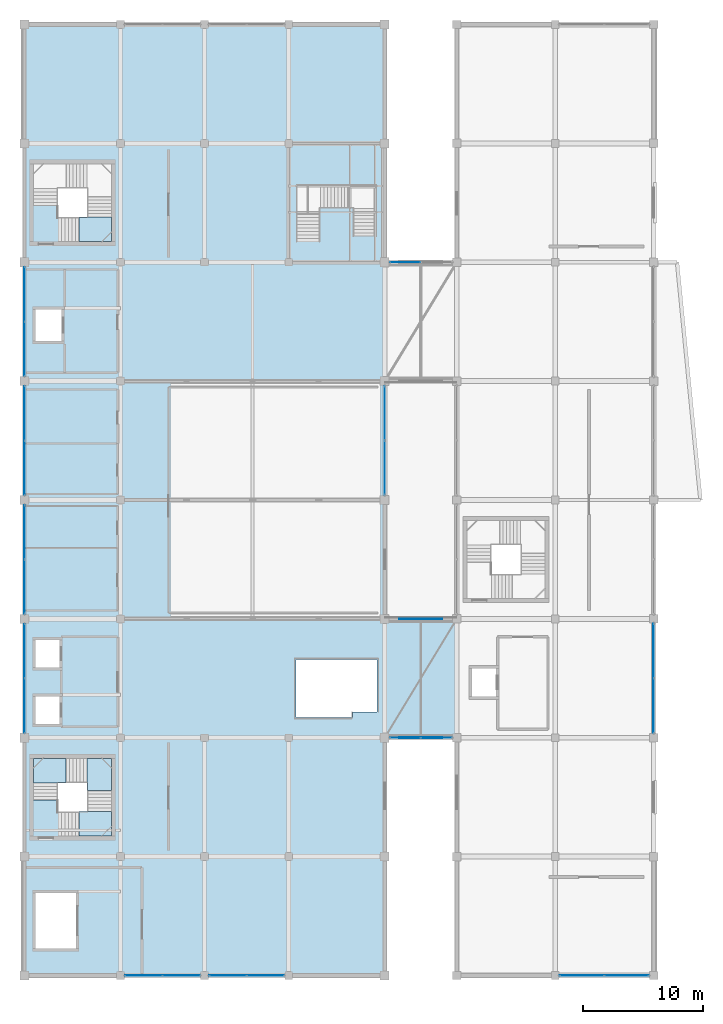
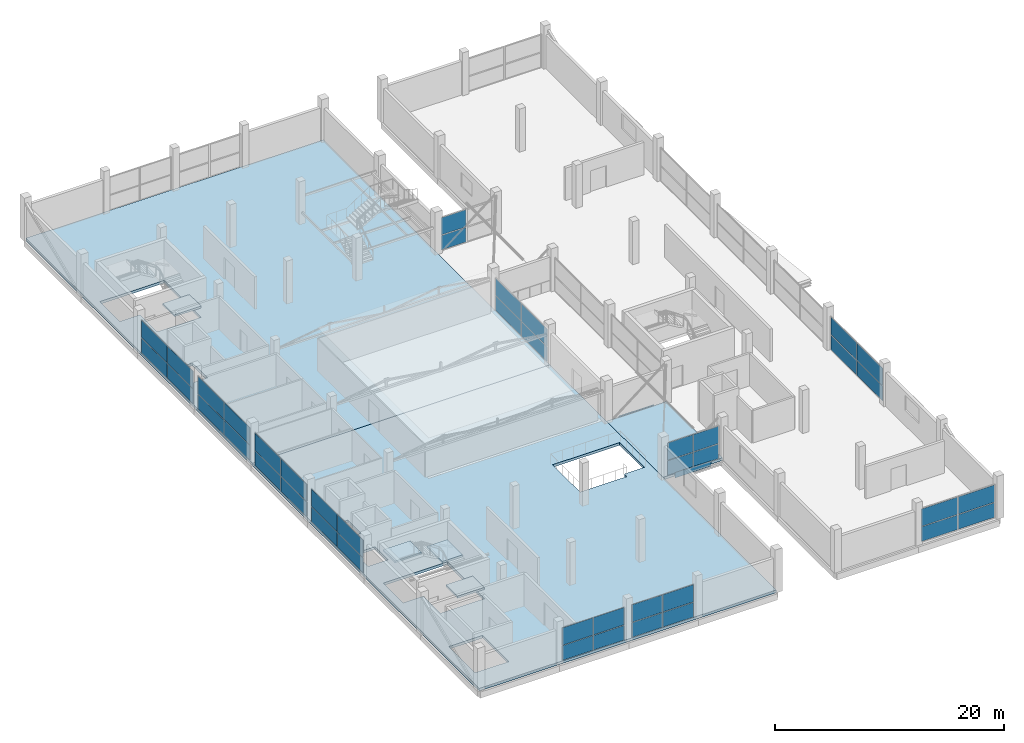
# One storey, part 52 of 69: 44 plates, 7 slabs, 13 elements without a shape of their own.
"""IFC4 building model written with IfcOpenShell, lengths in metres."""

from ifc_helpers import new_model, si_unit, direction, frame, origin, origin_2d, place, context, subcontext, project, spatial, polyline, rectangle, outline, extrude, material, layer, layer_set, type_object, element, aggregate, save


model = new_model("IFC4")

# Units and contexts
model_context = context("Model", 3, precision=1e-05, world=origin(), true_north=direction((0.0, 1.0)))
body_context = subcontext(model_context, "Body", "Model", "MODEL_VIEW")
ifc_project = project(units=[si_unit("LENGTHUNIT", "METRE"), si_unit("AREAUNIT", "SQUARE_METRE"), si_unit("VOLUMEUNIT", "CUBIC_METRE"), si_unit("PLANEANGLEUNIT", "RADIAN"), si_unit("MASSUNIT", "GRAM", prefix="KILO")], contexts=[model_context])

# Site, building, storey
site_placement = place(None, origin())
site = spatial("IfcSite", under=ifc_project, at=site_placement, CompositionType="ELEMENT")
building_placement = place(site_placement, origin())
building = spatial("IfcBuilding", under=site, at=building_placement, Name="Sillaruma Civic Art Gallery", CompositionType="ELEMENT")
storey_placement = place(building_placement, frame((0.0, 0.0, 42.330078125)))
storey = spatial("IfcBuildingStorey", under=building, at=storey_placement, Name="L08", CompositionType="ELEMENT", Elevation=42.330078125)

# Plates
ifc_material_1 = material(Name="Anodised Zinc-Aluminium Alloy", Category="aluminium")
ifc_layer_1 = layer(ifc_material_1, 0.044921875, Name="Anodised Zinc-Aluminium Alloy")
ifc_layer_set_1 = layer_set([ifc_layer_1], Name="Anodised Zinc-Aluminium Alloy")
plate_type_1 = type_object("IfcPlateType", Name="PLT-FAS-01", PredefinedType="USERDEFINED", material=ifc_layer_set_1)
for number, where, z_axis, x_axis, name in (
    (1, (95.0, 39.60009765625, -0.47021484375), (0.0, 0.0, 1.0), (1.0, 0.0, 0.0), "Sky-Bridge Fascia Cassette (BRG-S:L08:S)"),
    (2, (95.0, 49.5, -0.47021484375), (0.0, 0.0, 1.0), (1.0, 0.0, 0.0), "Sky-Bridge Fascia Cassette (BRG-S:L08:N)"),
):
    element("IfcPlate", number, at=place(storey_placement, frame(where, z_axis=z_axis, x_axis=x_axis)), inside=storey, type_object=plate_type_1, Name=name, ObjectType="FASCIA CASSETTE", PredefinedType="USERDEFINED", context=body_context, shape_type="SweptSolid", body=[
        extrude(rectangle(XDim=3.60009765625, YDim=0.044921875, at=origin_2d()), origin(), (0.0, 0.0, 1.0), 0.580078125),
    ])

# Curtain wall, plates
ifc_material_2 = material(Name="Thermally Broken Extruded Aluminium 6063-T6", Category="aluminium")
ifc_layer_2 = layer(ifc_material_2, 0.139892578125, Name="Thermally Broken Extruded Aluminium 6063-T6")
ifc_layer_set_2 = layer_set([ifc_layer_2], Name="Thermally Broken Extruded Aluminium 6063-T6")
curtain_wall_type_1 = type_object("IfcCurtainWallType", Name="CW-UNI-54", PredefinedType="NOTDEFINED", material=ifc_layer_set_2)
curtain_wall_1_placement = place(storey_placement, origin())
curtain_wall_1 = element("IfcCurtainWall", 3, at=curtain_wall_1_placement, inside=storey, type_object=curtain_wall_type_1, Name="Unitised Curtain Wall CW-54 (CW-L08-WBW-3)", PredefinedType="NOTDEFINED")
ifc_material_3 = material(Name="Low-E UV-Filtered Laminated Insulating Glass", Category="glass")
ifc_layer_3 = layer(ifc_material_3, 0.028076171875, Name="Low-E UV-Filtered Laminated Insulating Glass")
ifc_layer_set_3 = layer_set([ifc_layer_3], Name="Low-E UV-Filtered Laminated Insulating Glass")
plate_type_2 = type_object("IfcPlateType", Name="PNL-GLZ-28", PredefinedType="CURTAIN_PANEL", material=ifc_layer_set_3)
plate_1_placement = place(storey_placement, frame((62.0, 42.277587890625, 0.06005859375), z_axis=(0.0, 0.0, 1.0), x_axis=(0.0, 1.0, 0.0)))
plate_1 = element("IfcPlate", 4, at=plate_1_placement, type_object=plate_type_2, Name="CW-54 panel 1.1", PredefinedType="CURTAIN_PANEL", context=body_context, shape_type="SweptSolid", body=[
    extrude(rectangle(XDim=4.485107421875, YDim=0.028076171875, at=origin_2d()), origin(), (0.0, 0.0, 1.0), 1.561279296875),
])
plate_2_placement = place(storey_placement, frame((62.0, 42.277587890625, 1.681396484375), z_axis=(0.0, 0.0, 1.0), x_axis=(0.0, 1.0, 0.0)))
plate_2 = element("IfcPlate", 5, at=plate_2_placement, type_object=plate_type_2, Name="CW-54 panel 1.2", PredefinedType="CURTAIN_PANEL", context=body_context, shape_type="SweptSolid", body=[
    extrude(rectangle(XDim=4.485107421875, YDim=0.028076171875, at=origin_2d()), origin(), (0.0, 0.0, 1.0), 1.8486328125),
])
plate_3_placement = place(storey_placement, frame((62.0, 46.822509765625, 0.06005859375), z_axis=(0.0, 0.0, 1.0), x_axis=(0.0, 1.0, 0.0)))
plate_3 = element("IfcPlate", 6, at=plate_3_placement, type_object=plate_type_2, Name="CW-54 panel 2.1", PredefinedType="CURTAIN_PANEL", context=body_context, shape_type="SweptSolid", body=[
    extrude(rectangle(XDim=4.485107421875, YDim=0.028076171875, at=origin_2d()), origin(), (0.0, 0.0, 1.0), 1.561279296875),
])
plate_4_placement = place(storey_placement, frame((62.0, 46.822509765625, 1.681396484375), z_axis=(0.0, 0.0, 1.0), x_axis=(0.0, 1.0, 0.0)))
plate_4 = element("IfcPlate", 7, at=plate_4_placement, type_object=plate_type_2, Name="CW-54 panel 2.2", PredefinedType="CURTAIN_PANEL", context=body_context, shape_type="SweptSolid", body=[
    extrude(rectangle(XDim=4.485107421875, YDim=0.028076171875, at=origin_2d()), origin(), (0.0, 0.0, 1.0), 1.8486328125),
])
aggregate(curtain_wall_1, [plate_1, plate_2, plate_3, plate_4])

ifc_layer_4 = layer(ifc_material_2, 0.139892578125, Name="Thermally Broken Extruded Aluminium 6063-T6")
ifc_layer_set_4 = layer_set([ifc_layer_4], Name="Thermally Broken Extruded Aluminium 6063-T6")
curtain_wall_type_2 = type_object("IfcCurtainWallType", Name="CW-UNI-56", PredefinedType="NOTDEFINED", material=ifc_layer_set_4)
curtain_wall_2_placement = place(storey_placement, origin())
curtain_wall_2 = element("IfcCurtainWall", 8, at=curtain_wall_2_placement, inside=storey, type_object=curtain_wall_type_2, Name="Unitised Curtain Wall CW-56 (CW-L08-WBS-2)", PredefinedType="NOTDEFINED")
plate_5_placement = place(storey_placement, frame((71.927490234375, 19.800048828125, 0.06005859375), z_axis=(0.0, 0.0, 1.0), x_axis=(1.0, 0.0, 0.0)))
plate_5 = element("IfcPlate", 9, at=plate_5_placement, type_object=plate_type_2, Name="CW-56 panel 1.1", PredefinedType="CURTAIN_PANEL", context=body_context, shape_type="SweptSolid", body=[
    extrude(rectangle(XDim=3.0849609375, YDim=0.028076171875, at=origin_2d()), origin(), (0.0, 0.0, 1.0), 1.561279296875),
])
plate_6_placement = place(storey_placement, frame((71.927490234375, 19.800048828125, 1.681396484375), z_axis=(0.0, 0.0, 1.0), x_axis=(1.0, 0.0, 0.0)))
plate_6 = element("IfcPlate", 10, at=plate_6_placement, type_object=plate_type_2, Name="CW-56 panel 1.2", PredefinedType="CURTAIN_PANEL", context=body_context, shape_type="SweptSolid", body=[
    extrude(rectangle(XDim=3.0849609375, YDim=0.028076171875, at=origin_2d()), origin(), (0.0, 0.0, 1.0), 1.8486328125),
])
plate_7_placement = place(storey_placement, frame((75.072509765625, 19.800048828125, 0.06005859375), z_axis=(0.0, 0.0, 1.0), x_axis=(1.0, 0.0, 0.0)))
plate_7 = element("IfcPlate", 11, at=plate_7_placement, type_object=plate_type_2, Name="CW-56 panel 2.1", PredefinedType="CURTAIN_PANEL", context=body_context, shape_type="SweptSolid", body=[
    extrude(rectangle(XDim=3.0849609375, YDim=0.028076171875, at=origin_2d()), origin(), (0.0, 0.0, 1.0), 1.561279296875),
])
plate_8_placement = place(storey_placement, frame((75.072509765625, 19.800048828125, 1.681396484375), z_axis=(0.0, 0.0, 1.0), x_axis=(1.0, 0.0, 0.0)))
plate_8 = element("IfcPlate", 12, at=plate_8_placement, type_object=plate_type_2, Name="CW-56 panel 2.2", PredefinedType="CURTAIN_PANEL", context=body_context, shape_type="SweptSolid", body=[
    extrude(rectangle(XDim=3.0849609375, YDim=0.028076171875, at=origin_2d()), origin(), (0.0, 0.0, 1.0), 1.8486328125),
])
aggregate(curtain_wall_2, [plate_5, plate_6, plate_7, plate_8])

ifc_layer_5 = layer(ifc_material_2, 0.159912109375, Name="Thermally Broken Extruded Aluminium 6063-T6")
ifc_layer_set_5 = layer_set([ifc_layer_5], Name="Thermally Broken Extruded Aluminium 6063-T6")
curtain_wall_type_3 = type_object("IfcCurtainWallType", Name="CW-UNI-29", PredefinedType="NOTDEFINED", material=ifc_layer_set_5)
curtain_wall_3_placement = place(storey_placement, origin())
curtain_wall_3 = element("IfcCurtainWall", 13, at=curtain_wall_3_placement, inside=storey, type_object=curtain_wall_type_3, Name="Unitised Curtain Wall CW-29 (CW-L08-WBW-5)", PredefinedType="NOTDEFINED")
ifc_layer_6 = layer(ifc_material_3, 0.030029296875, Name="Low-E UV-Filtered Laminated Insulating Glass")
ifc_layer_set_6 = layer_set([ifc_layer_6], Name="Low-E UV-Filtered Laminated Insulating Glass")
plate_type_3 = type_object("IfcPlateType", Name="PNL-GLZ-30", PredefinedType="CURTAIN_PANEL", material=ifc_layer_set_6)
plate_9_placement = place(storey_placement, frame((62.0, 62.078857421875, 0.06005859375), z_axis=(0.0, 0.0, 1.0), x_axis=(0.0, 1.0, 0.0)))
plate_9 = element("IfcPlate", 14, at=plate_9_placement, type_object=plate_type_3, Name="CW-29 panel 1.1", PredefinedType="CURTAIN_PANEL", context=body_context, shape_type="SweptSolid", body=[
    extrude(rectangle(XDim=4.4775390625, YDim=0.030029296875, at=origin_2d()), origin(), (0.0, 0.0, 1.0), 1.561279296875),
])
plate_10_placement = place(storey_placement, frame((62.0, 62.078857421875, 1.681396484375), z_axis=(0.0, 0.0, 1.0), x_axis=(0.0, 1.0, 0.0)))
plate_10 = element("IfcPlate", 15, at=plate_10_placement, type_object=plate_type_3, Name="CW-29 panel 1.2", PredefinedType="CURTAIN_PANEL", context=body_context, shape_type="SweptSolid", body=[
    extrude(rectangle(XDim=4.4775390625, YDim=0.030029296875, at=origin_2d()), origin(), (0.0, 0.0, 1.0), 1.8486328125),
])
plate_11_placement = place(storey_placement, frame((62.0, 66.621337890625, 0.06005859375), z_axis=(0.0, 0.0, 1.0), x_axis=(0.0, 1.0, 0.0)))
plate_11 = element("IfcPlate", 16, at=plate_11_placement, type_object=plate_type_3, Name="CW-29 panel 2.1", PredefinedType="CURTAIN_PANEL", context=body_context, shape_type="SweptSolid", body=[
    extrude(rectangle(XDim=4.4775390625, YDim=0.030029296875, at=origin_2d()), origin(), (0.0, 0.0, 1.0), 1.561279296875),
])
plate_12_placement = place(storey_placement, frame((62.0, 66.621337890625, 1.681396484375), z_axis=(0.0, 0.0, 1.0), x_axis=(0.0, 1.0, 0.0)))
plate_12 = element("IfcPlate", 17, at=plate_12_placement, type_object=plate_type_3, Name="CW-29 panel 2.2", PredefinedType="CURTAIN_PANEL", context=body_context, shape_type="SweptSolid", body=[
    extrude(rectangle(XDim=4.4775390625, YDim=0.030029296875, at=origin_2d()), origin(), (0.0, 0.0, 1.0), 1.8486328125),
])
aggregate(curtain_wall_3, [plate_9, plate_10, plate_11, plate_12])

ifc_layer_7 = layer(ifc_material_2, 0.139892578125, Name="Thermally Broken Extruded Aluminium 6063-T6")
ifc_layer_set_7 = layer_set([ifc_layer_7], Name="Thermally Broken Extruded Aluminium 6063-T6")
curtain_wall_type_4 = type_object("IfcCurtainWallType", Name="CW-UNI-40", PredefinedType="NOTDEFINED", material=ifc_layer_set_7)
curtain_wall_4_placement = place(storey_placement, origin())
curtain_wall_4 = element("IfcCurtainWall", 18, at=curtain_wall_4_placement, inside=storey, type_object=curtain_wall_type_4, Name="Unitised Curtain Wall CW-40 (CW-L08-WBW-6)", PredefinedType="NOTDEFINED")
ifc_layer_8 = layer(ifc_material_3, 0.033935546875, Name="Low-E UV-Filtered Laminated Insulating Glass")
ifc_layer_set_8 = layer_set([ifc_layer_8], Name="Low-E UV-Filtered Laminated Insulating Glass")
plate_type_4 = type_object("IfcPlateType", Name="PNL-GLZ-34", PredefinedType="CURTAIN_PANEL", material=ifc_layer_set_8)
plate_13_placement = place(storey_placement, frame((62.0, 71.9775390625, 0.06494140625), z_axis=(0.0, 0.0, 1.0), x_axis=(0.0, 1.0, 0.0)))
plate_13 = element("IfcPlate", 19, at=plate_13_placement, type_object=plate_type_4, Name="CW-40 panel 1.1", PredefinedType="CURTAIN_PANEL", context=body_context, shape_type="SweptSolid", body=[
    extrude(rectangle(XDim=4.485107421875, YDim=0.033935546875, at=origin_2d()), origin(), (0.0, 0.0, 1.0), 1.553955078125),
])
plate_14_placement = place(storey_placement, frame((62.0, 71.9775390625, 1.68408203125), z_axis=(0.0, 0.0, 1.0), x_axis=(0.0, 1.0, 0.0)))
plate_14 = element("IfcPlate", 20, at=plate_14_placement, type_object=plate_type_4, Name="CW-40 panel 1.2", PredefinedType="CURTAIN_PANEL", context=body_context, shape_type="SweptSolid", body=[
    extrude(rectangle(XDim=4.485107421875, YDim=0.033935546875, at=origin_2d()), origin(), (0.0, 0.0, 1.0), 1.841064453125),
])
plate_15_placement = place(storey_placement, frame((62.0, 76.5224609375, 0.06494140625), z_axis=(0.0, 0.0, 1.0), x_axis=(0.0, 1.0, 0.0)))
plate_15 = element("IfcPlate", 21, at=plate_15_placement, type_object=plate_type_4, Name="CW-40 panel 2.1", PredefinedType="CURTAIN_PANEL", context=body_context, shape_type="SweptSolid", body=[
    extrude(rectangle(XDim=4.485107421875, YDim=0.033935546875, at=origin_2d()), origin(), (0.0, 0.0, 1.0), 1.553955078125),
])
plate_16_placement = place(storey_placement, frame((62.0, 76.5224609375, 1.68408203125), z_axis=(0.0, 0.0, 1.0), x_axis=(0.0, 1.0, 0.0)))
plate_16 = element("IfcPlate", 22, at=plate_16_placement, type_object=plate_type_4, Name="CW-40 panel 2.2", PredefinedType="CURTAIN_PANEL", context=body_context, shape_type="SweptSolid", body=[
    extrude(rectangle(XDim=4.485107421875, YDim=0.033935546875, at=origin_2d()), origin(), (0.0, 0.0, 1.0), 1.841064453125),
])
aggregate(curtain_wall_4, [plate_13, plate_14, plate_15, plate_16])

ifc_layer_9 = layer(ifc_material_2, 0.179931640625, Name="Thermally Broken Extruded Aluminium 6063-T6")
ifc_layer_set_9 = layer_set([ifc_layer_9], Name="Thermally Broken Extruded Aluminium 6063-T6")
curtain_wall_type_5 = type_object("IfcCurtainWallType", Name="CW-UNI-33", PredefinedType="NOTDEFINED", material=ifc_layer_set_9)
curtain_wall_5_placement = place(storey_placement, origin())
curtain_wall_5 = element("IfcCurtainWall", 23, at=curtain_wall_5_placement, inside=storey, type_object=curtain_wall_type_5, Name="Unitised Curtain Wall CW-33 (CW-L08-WBE-5)", PredefinedType="NOTDEFINED")
ifc_layer_10 = layer(ifc_material_3, 0.035888671875, Name="Low-E UV-Filtered Laminated Insulating Glass")
ifc_layer_set_10 = layer_set([ifc_layer_10], Name="Low-E UV-Filtered Laminated Insulating Glass")
plate_type_5 = type_object("IfcPlateType", Name="PNL-GLZ-36", PredefinedType="CURTAIN_PANEL", material=ifc_layer_set_10)
plate_17_placement = place(storey_placement, frame((92.0, 62.080078125, 0.06982421875), z_axis=(0.0, 0.0, 1.0), x_axis=(0.0, 1.0, 0.0)))
plate_17 = element("IfcPlate", 24, at=plate_17_placement, type_object=plate_type_5, Name="CW-33 panel 1.1", PredefinedType="CURTAIN_PANEL", context=body_context, shape_type="SweptSolid", body=[
    extrude(rectangle(XDim=4.469970703125, YDim=0.035888671875, at=origin_2d()), origin(), (0.0, 0.0, 1.0), 1.54638671875),
])
plate_18_placement = place(storey_placement, frame((92.0, 62.080078125, 1.686279296875), z_axis=(0.0, 0.0, 1.0), x_axis=(0.0, 1.0, 0.0)))
plate_18 = element("IfcPlate", 25, at=plate_18_placement, type_object=plate_type_5, Name="CW-33 panel 1.2", PredefinedType="CURTAIN_PANEL", context=body_context, shape_type="SweptSolid", body=[
    extrude(rectangle(XDim=4.469970703125, YDim=0.035888671875, at=origin_2d()), origin(), (0.0, 0.0, 1.0), 1.83349609375),
])
plate_19_placement = place(storey_placement, frame((92.0, 66.6201171875, 0.06982421875), z_axis=(0.0, 0.0, 1.0), x_axis=(0.0, 1.0, 0.0)))
plate_19 = element("IfcPlate", 26, at=plate_19_placement, type_object=plate_type_5, Name="CW-33 panel 2.1", PredefinedType="CURTAIN_PANEL", context=body_context, shape_type="SweptSolid", body=[
    extrude(rectangle(XDim=4.469970703125, YDim=0.035888671875, at=origin_2d()), origin(), (0.0, 0.0, 1.0), 1.54638671875),
])
plate_20_placement = place(storey_placement, frame((92.0, 66.6201171875, 1.686279296875), z_axis=(0.0, 0.0, 1.0), x_axis=(0.0, 1.0, 0.0)))
plate_20 = element("IfcPlate", 27, at=plate_20_placement, type_object=plate_type_5, Name="CW-33 panel 2.2", PredefinedType="CURTAIN_PANEL", context=body_context, shape_type="SweptSolid", body=[
    extrude(rectangle(XDim=4.469970703125, YDim=0.035888671875, at=origin_2d()), origin(), (0.0, 0.0, 1.0), 1.83349609375),
])
aggregate(curtain_wall_5, [plate_17, plate_18, plate_19, plate_20])

ifc_layer_11 = layer(ifc_material_2, 0.179931640625, Name="Thermally Broken Extruded Aluminium 6063-T6")
ifc_layer_set_11 = layer_set([ifc_layer_11], Name="Thermally Broken Extruded Aluminium 6063-T6")
curtain_wall_type_6 = type_object("IfcCurtainWallType", Name="CW-UNI-58", PredefinedType="NOTDEFINED", material=ifc_layer_set_11)
curtain_wall_6_placement = place(storey_placement, origin())
curtain_wall_6 = element("IfcCurtainWall", 28, at=curtain_wall_6_placement, inside=storey, type_object=curtain_wall_type_6, Name="Unitised Curtain Wall CW-58 (CW-L08-EBE-3)", PredefinedType="NOTDEFINED")
plate_21_placement = place(storey_placement, frame((114.39990234375, 42.267578125, 0.06982421875), z_axis=(0.0, 0.0, 1.0), x_axis=(0.0, 1.0, 0.0)))
plate_21 = element("IfcPlate", 29, at=plate_21_placement, type_object=plate_type_5, Name="CW-58 panel 1.1", PredefinedType="CURTAIN_PANEL", context=body_context, shape_type="SweptSolid", body=[
    extrude(rectangle(XDim=4.4951171875, YDim=0.035888671875, at=origin_2d()), origin(), (0.0, 0.0, 1.0), 1.54638671875),
])
plate_22_placement = place(storey_placement, frame((114.39990234375, 42.267578125, 1.686279296875), z_axis=(0.0, 0.0, 1.0), x_axis=(0.0, 1.0, 0.0)))
plate_22 = element("IfcPlate", 30, at=plate_22_placement, type_object=plate_type_5, Name="CW-58 panel 1.2", PredefinedType="CURTAIN_PANEL", context=body_context, shape_type="SweptSolid", body=[
    extrude(rectangle(XDim=4.4951171875, YDim=0.035888671875, at=origin_2d()), origin(), (0.0, 0.0, 1.0), 1.83349609375),
])
plate_23_placement = place(storey_placement, frame((114.39990234375, 46.83251953125, 0.06982421875), z_axis=(0.0, 0.0, 1.0), x_axis=(0.0, 1.0, 0.0)))
plate_23 = element("IfcPlate", 31, at=plate_23_placement, type_object=plate_type_5, Name="CW-58 panel 2.1", PredefinedType="CURTAIN_PANEL", context=body_context, shape_type="SweptSolid", body=[
    extrude(rectangle(XDim=4.4951171875, YDim=0.035888671875, at=origin_2d()), origin(), (0.0, 0.0, 1.0), 1.54638671875),
])
plate_24_placement = place(storey_placement, frame((114.39990234375, 46.83251953125, 1.686279296875), z_axis=(0.0, 0.0, 1.0), x_axis=(0.0, 1.0, 0.0)))
plate_24 = element("IfcPlate", 32, at=plate_24_placement, type_object=plate_type_5, Name="CW-58 panel 2.2", PredefinedType="CURTAIN_PANEL", context=body_context, shape_type="SweptSolid", body=[
    extrude(rectangle(XDim=4.4951171875, YDim=0.035888671875, at=origin_2d()), origin(), (0.0, 0.0, 1.0), 1.83349609375),
])
aggregate(curtain_wall_6, [plate_21, plate_22, plate_23, plate_24])

# Curtain wall, plate
ifc_layer_12 = layer(ifc_material_2, 0.179931640625, Name="Thermally Broken Extruded Aluminium 6063-T6")
ifc_layer_set_12 = layer_set([ifc_layer_12], Name="Thermally Broken Extruded Aluminium 6063-T6")
curtain_wall_type_7 = type_object("IfcCurtainWallType", Name="CW-UNI-60", PredefinedType="NOTDEFINED", material=ifc_layer_set_12)
curtain_wall_7_placement = place(storey_placement, origin())
curtain_wall_7 = element("IfcCurtainWall", 33, at=curtain_wall_7_placement, inside=storey, type_object=curtain_wall_type_7, Name="Unitised Curtain Wall CW-60 (CW-BRG-S-L08-S)", PredefinedType="NOTDEFINED")
plate_25_placement = place(storey_placement, frame((96.313720703125, 39.60009765625, 0.06982421875), z_axis=(0.0, 0.0, 1.0), x_axis=(1.0, 0.0, 0.0)))
plate_25 = element("IfcPlate", 34, at=plate_25_placement, type_object=plate_type_5, Name="CW-60 panel 2.1", PredefinedType="CURTAIN_PANEL", context=body_context, shape_type="SweptSolid", body=[
    extrude(rectangle(XDim=2.532470703125, YDim=0.035888671875, at=origin_2d()), origin(), (0.0, 0.0, 1.0), 1.54638671875),
])

# Curtain wall, plates
ifc_layer_13 = layer(ifc_material_2, 0.179931640625, Name="Thermally Broken Extruded Aluminium 6063-T6")
ifc_layer_set_13 = layer_set([ifc_layer_13], Name="Thermally Broken Extruded Aluminium 6063-T6")
curtain_wall_type_8 = type_object("IfcCurtainWallType", Name="CW-UNI-55", PredefinedType="NOTDEFINED", material=ifc_layer_set_13)
curtain_wall_8_placement = place(storey_placement, origin())
curtain_wall_8 = element("IfcCurtainWall", 35, at=curtain_wall_8_placement, inside=storey, type_object=curtain_wall_type_8, Name="Unitised Curtain Wall CW-55 (CW-L08-WBW-4)", PredefinedType="NOTDEFINED")
ifc_layer_14 = layer(ifc_material_3, 0.0400390625, Name="Low-E UV-Filtered Laminated Insulating Glass")
ifc_layer_set_14 = layer_set([ifc_layer_14], Name="Low-E UV-Filtered Laminated Insulating Glass")
plate_type_6 = type_object("IfcPlateType", Name="PNL-GLZ-40", PredefinedType="CURTAIN_PANEL", material=ifc_layer_set_14)
plate_26_placement = place(storey_placement, frame((62.0, 52.179931640625, 0.06494140625), z_axis=(0.0, 0.0, 1.0), x_axis=(0.0, 1.0, 0.0)))
plate_26 = element("IfcPlate", 36, at=plate_26_placement, type_object=plate_type_6, Name="CW-55 panel 1.1", PredefinedType="CURTAIN_PANEL", context=body_context, shape_type="SweptSolid", body=[
    extrude(rectangle(XDim=4.469970703125, YDim=0.0400390625, at=origin_2d()), origin(), (0.0, 0.0, 1.0), 1.553955078125),
])
plate_27_placement = place(storey_placement, frame((62.0, 52.179931640625, 1.68408203125), z_axis=(0.0, 0.0, 1.0), x_axis=(0.0, 1.0, 0.0)))
plate_27 = element("IfcPlate", 37, at=plate_27_placement, type_object=plate_type_6, Name="CW-55 panel 1.2", PredefinedType="CURTAIN_PANEL", context=body_context, shape_type="SweptSolid", body=[
    extrude(rectangle(XDim=4.469970703125, YDim=0.0400390625, at=origin_2d()), origin(), (0.0, 0.0, 1.0), 1.841064453125),
])
plate_28_placement = place(storey_placement, frame((62.0, 56.719970703125, 0.06494140625), z_axis=(0.0, 0.0, 1.0), x_axis=(0.0, 1.0, 0.0)))
plate_28 = element("IfcPlate", 38, at=plate_28_placement, type_object=plate_type_6, Name="CW-55 panel 2.1", PredefinedType="CURTAIN_PANEL", context=body_context, shape_type="SweptSolid", body=[
    extrude(rectangle(XDim=4.469970703125, YDim=0.0400390625, at=origin_2d()), origin(), (0.0, 0.0, 1.0), 1.553955078125),
])
plate_29_placement = place(storey_placement, frame((62.0, 56.719970703125, 1.68408203125), z_axis=(0.0, 0.0, 1.0), x_axis=(0.0, 1.0, 0.0)))
plate_29 = element("IfcPlate", 39, at=plate_29_placement, type_object=plate_type_6, Name="CW-55 panel 2.2", PredefinedType="CURTAIN_PANEL", context=body_context, shape_type="SweptSolid", body=[
    extrude(rectangle(XDim=4.469970703125, YDim=0.0400390625, at=origin_2d()), origin(), (0.0, 0.0, 1.0), 1.841064453125),
])
aggregate(curtain_wall_8, [plate_26, plate_27, plate_28, plate_29])

ifc_layer_15 = layer(ifc_material_2, 0.179931640625, Name="Thermally Broken Extruded Aluminium 6063-T6")
ifc_layer_set_15 = layer_set([ifc_layer_15], Name="Thermally Broken Extruded Aluminium 6063-T6")
curtain_wall_type_9 = type_object("IfcCurtainWallType", Name="CW-UNI-57", PredefinedType="NOTDEFINED", material=ifc_layer_set_15)
curtain_wall_9_placement = place(storey_placement, origin())
curtain_wall_9 = element("IfcCurtainWall", 40, at=curtain_wall_9_placement, inside=storey, type_object=curtain_wall_type_9, Name="Unitised Curtain Wall CW-57 (CW-L08-WBS-3)", PredefinedType="NOTDEFINED")
plate_30_placement = place(storey_placement, frame((78.929931640625, 19.800048828125, 0.06494140625), z_axis=(0.0, 0.0, 1.0), x_axis=(1.0, 0.0, 0.0)))
plate_30 = element("IfcPlate", 41, at=plate_30_placement, type_object=plate_type_6, Name="CW-57 panel 1.1", PredefinedType="CURTAIN_PANEL", context=body_context, shape_type="SweptSolid", body=[
    extrude(rectangle(XDim=3.070068359375, YDim=0.0400390625, at=origin_2d()), origin(), (0.0, 0.0, 1.0), 1.553955078125),
])
plate_31_placement = place(storey_placement, frame((78.929931640625, 19.800048828125, 1.68408203125), z_axis=(0.0, 0.0, 1.0), x_axis=(1.0, 0.0, 0.0)))
plate_31 = element("IfcPlate", 42, at=plate_31_placement, type_object=plate_type_6, Name="CW-57 panel 1.2", PredefinedType="CURTAIN_PANEL", context=body_context, shape_type="SweptSolid", body=[
    extrude(rectangle(XDim=3.070068359375, YDim=0.0400390625, at=origin_2d()), origin(), (0.0, 0.0, 1.0), 1.841064453125),
])
plate_32_placement = place(storey_placement, frame((82.070068359375, 19.800048828125, 0.06494140625), z_axis=(0.0, 0.0, 1.0), x_axis=(1.0, 0.0, 0.0)))
plate_32 = element("IfcPlate", 43, at=plate_32_placement, type_object=plate_type_6, Name="CW-57 panel 2.1", PredefinedType="CURTAIN_PANEL", context=body_context, shape_type="SweptSolid", body=[
    extrude(rectangle(XDim=3.070068359375, YDim=0.0400390625, at=origin_2d()), origin(), (0.0, 0.0, 1.0), 1.553955078125),
])
plate_33_placement = place(storey_placement, frame((82.070068359375, 19.800048828125, 1.68408203125), z_axis=(0.0, 0.0, 1.0), x_axis=(1.0, 0.0, 0.0)))
plate_33 = element("IfcPlate", 44, at=plate_33_placement, type_object=plate_type_6, Name="CW-57 panel 2.2", PredefinedType="CURTAIN_PANEL", context=body_context, shape_type="SweptSolid", body=[
    extrude(rectangle(XDim=3.070068359375, YDim=0.0400390625, at=origin_2d()), origin(), (0.0, 0.0, 1.0), 1.841064453125),
])
aggregate(curtain_wall_9, [plate_30, plate_31, plate_32, plate_33])

ifc_layer_16 = layer(ifc_material_2, 0.179931640625, Name="Thermally Broken Extruded Aluminium 6063-T6")
ifc_layer_set_16 = layer_set([ifc_layer_16], Name="Thermally Broken Extruded Aluminium 6063-T6")
curtain_wall_type_10 = type_object("IfcCurtainWallType", Name="CW-UNI-59", PredefinedType="NOTDEFINED", material=ifc_layer_set_16)
curtain_wall_10_placement = place(storey_placement, origin())
curtain_wall_10 = element("IfcCurtainWall", 45, at=curtain_wall_10_placement, inside=storey, type_object=curtain_wall_type_10, Name="Unitised Curtain Wall CW-59 (CW-L08-EBS-2)", PredefinedType="NOTDEFINED")
plate_34_placement = place(storey_placement, frame((108.423828125, 19.800048828125, 0.06494140625), z_axis=(0.0, 0.0, 1.0), x_axis=(1.0, 0.0, 0.0)))
plate_34 = element("IfcPlate", 46, at=plate_34_placement, type_object=plate_type_6, Name="CW-59 panel 1.1", PredefinedType="CURTAIN_PANEL", context=body_context, shape_type="SweptSolid", body=[
    extrude(rectangle(XDim=3.657470703125, YDim=0.0400390625, at=origin_2d()), origin(), (0.0, 0.0, 1.0), 1.553955078125),
])
plate_35_placement = place(storey_placement, frame((108.423828125, 19.800048828125, 1.68408203125), z_axis=(0.0, 0.0, 1.0), x_axis=(1.0, 0.0, 0.0)))
plate_35 = element("IfcPlate", 47, at=plate_35_placement, type_object=plate_type_6, Name="CW-59 panel 1.2", PredefinedType="CURTAIN_PANEL", context=body_context, shape_type="SweptSolid", body=[
    extrude(rectangle(XDim=3.657470703125, YDim=0.0400390625, at=origin_2d()), origin(), (0.0, 0.0, 1.0), 1.841064453125),
])
plate_36_placement = place(storey_placement, frame((112.1513671875, 19.800048828125, 0.06494140625), z_axis=(0.0, 0.0, 1.0), x_axis=(1.0, 0.0, 0.0)))
plate_36 = element("IfcPlate", 48, at=plate_36_placement, type_object=plate_type_6, Name="CW-59 panel 2.1", PredefinedType="CURTAIN_PANEL", context=body_context, shape_type="SweptSolid", body=[
    extrude(rectangle(XDim=3.657470703125, YDim=0.0400390625, at=origin_2d()), origin(), (0.0, 0.0, 1.0), 1.553955078125),
])
plate_37_placement = place(storey_placement, frame((112.1513671875, 19.800048828125, 1.68408203125), z_axis=(0.0, 0.0, 1.0), x_axis=(1.0, 0.0, 0.0)))
plate_37 = element("IfcPlate", 49, at=plate_37_placement, type_object=plate_type_6, Name="CW-59 panel 2.2", PredefinedType="CURTAIN_PANEL", context=body_context, shape_type="SweptSolid", body=[
    extrude(rectangle(XDim=3.657470703125, YDim=0.0400390625, at=origin_2d()), origin(), (0.0, 0.0, 1.0), 1.841064453125),
])
aggregate(curtain_wall_10, [plate_34, plate_35, plate_36, plate_37])

# Plate
ifc_layer_17 = layer(ifc_material_1, 0.035888671875, Name="Anodised Zinc-Aluminium Alloy")
ifc_layer_set_17 = layer_set([ifc_layer_17], Name="Anodised Zinc-Aluminium Alloy")
plate_type_7 = type_object("IfcPlateType", Name="PNL-SPD-36", PredefinedType="CURTAIN_PANEL", material=ifc_layer_set_17)
plate_38_placement = place(storey_placement, frame((93.711181640625, 39.60009765625, 0.06982421875), z_axis=(0.0, 0.0, 1.0), x_axis=(1.0, 0.0, 0.0)))
plate_38 = element("IfcPlate", 50, at=plate_38_placement, type_object=plate_type_7, Name="CW-60 panel 1.1", PredefinedType="CURTAIN_PANEL", context=body_context, shape_type="SweptSolid", body=[
    extrude(rectangle(XDim=2.532470703125, YDim=0.035888671875, at=origin_2d()), origin(), (0.0, 0.0, 1.0), 1.54638671875),
])

plate_39_placement = place(storey_placement, frame((93.711181640625, 39.60009765625, 1.686279296875), z_axis=(0.0, 0.0, 1.0), x_axis=(1.0, 0.0, 0.0)))
plate_39 = element("IfcPlate", 51, at=plate_39_placement, type_object=plate_type_7, Name="CW-60 panel 1.2", PredefinedType="CURTAIN_PANEL", context=body_context, shape_type="SweptSolid", body=[
    extrude(rectangle(XDim=2.532470703125, YDim=0.035888671875, at=origin_2d()), origin(), (0.0, 0.0, 1.0), 1.83349609375),
])

plate_40_placement = place(storey_placement, frame((96.313720703125, 39.60009765625, 1.686279296875), z_axis=(0.0, 0.0, 1.0), x_axis=(1.0, 0.0, 0.0)))
plate_40 = element("IfcPlate", 52, at=plate_40_placement, type_object=plate_type_7, Name="CW-60 panel 2.2", PredefinedType="CURTAIN_PANEL", context=body_context, shape_type="SweptSolid", body=[
    extrude(rectangle(XDim=2.532470703125, YDim=0.035888671875, at=origin_2d()), origin(), (0.0, 0.0, 1.0), 1.83349609375),
])

aggregate(curtain_wall_7, [plate_38, plate_39, plate_25, plate_40])

# Curtain wall, plates
curtain_wall_11_placement = place(storey_placement, origin())
curtain_wall_11 = element("IfcCurtainWall", 53, at=curtain_wall_11_placement, inside=storey, type_object=curtain_wall_type_7, Name="Unitised Curtain Wall CW-60 (CW-BRG-N-L08-N)", PredefinedType="NOTDEFINED")
plate_41_placement = place(storey_placement, frame((93.711181640625, 79.199951171875, 0.06982421875), z_axis=(0.0, 0.0, 1.0), x_axis=(1.0, 0.0, 0.0)))
plate_41 = element("IfcPlate", 54, at=plate_41_placement, type_object=plate_type_7, Name="CW-60 panel 1.1", PredefinedType="CURTAIN_PANEL", context=body_context, shape_type="SweptSolid", body=[
    extrude(rectangle(XDim=2.532470703125, YDim=0.035888671875, at=origin_2d()), origin(), (0.0, 0.0, 1.0), 1.54638671875),
])
plate_42_placement = place(storey_placement, frame((93.711181640625, 79.199951171875, 1.686279296875), z_axis=(0.0, 0.0, 1.0), x_axis=(1.0, 0.0, 0.0)))
plate_42 = element("IfcPlate", 55, at=plate_42_placement, type_object=plate_type_7, Name="CW-60 panel 1.2", PredefinedType="CURTAIN_PANEL", context=body_context, shape_type="SweptSolid", body=[
    extrude(rectangle(XDim=2.532470703125, YDim=0.035888671875, at=origin_2d()), origin(), (0.0, 0.0, 1.0), 1.83349609375),
])
aggregate(curtain_wall_11, [plate_41, plate_42])

# Slabs
ifc_material_4 = material(Name="Concrete H35 (35 MPa)", Category="concrete")
ifc_layer_18 = layer(ifc_material_4, 0.280029296875, Name="Concrete H35 (35 MPa)")
ifc_layer_set_18 = layer_set([ifc_layer_18], Name="Concrete H35 (35 MPa)")
slab_type_1 = type_object("IfcSlabType", Name="SLB-FLR-280", PredefinedType="FLOOR", material=ifc_layer_set_18)
slab_1_placement = place(storey_placement, frame((0.0, 0.0, -0.280029296875)))
element("IfcSlab", 56, at=slab_1_placement, inside=storey, type_object=slab_type_1, Name="Floor Slab SF-280 (SLB-L08-WESTS)", PredefinedType="FLOOR", context=body_context, shape_type="SweptSolid", body=[
    extrude(outline(polyline([(62.0, 19.800048828125), (92.0, 19.800048828125), (92.0, 59.39990234375), (62.0, 59.39990234375), (62.0, 19.800048828125)]), holes=[polyline([(64.81494140625, 31.409912109375), (69.239990234375, 31.409912109375), (69.239990234375, 37.889892578125), (62.760009765625, 37.889892578125), (62.760009765625, 34.4150390625), (64.81494140625, 34.4150390625), (64.81494140625, 31.409912109375)]), polyline([(84.60009765625, 41.300048828125), (89.320068359375, 41.300048828125), (89.320068359375, 41.7548828125), (91.360107421875, 41.7548828125), (91.360107421875, 46.10009765625), (84.60009765625, 46.10009765625), (84.60009765625, 41.300048828125)]), polyline([(62.89990234375, 40.75), (64.89990234375, 40.75), (64.89990234375, 43.050048828125), (62.89990234375, 43.050048828125), (62.89990234375, 40.75)]), polyline([(62.89990234375, 45.449951171875), (64.89990234375, 45.449951171875), (64.89990234375, 47.75), (62.89990234375, 47.75), (62.89990234375, 45.449951171875)]), polyline([(62.89990234375, 22.050048828125), (66.300048828125, 22.050048828125), (66.300048828125, 26.64990234375), (62.89990234375, 26.64990234375), (62.89990234375, 22.050048828125)])]), origin(), (0.0, 0.0, 1.0), 0.280029296875),
])
slab_2_placement = place(storey_placement, frame((0.0, 0.0, -0.280029296875)))
element("IfcSlab", 57, at=slab_2_placement, inside=storey, type_object=slab_type_1, Name="Floor Slab SF-280 (SLB-L08-WESTN)", PredefinedType="FLOOR", context=body_context, shape_type="SweptSolid", body=[
    extrude(outline(polyline([(62.0, 59.39990234375), (92.0, 59.39990234375), (92.0, 99.0), (62.0, 99.0), (62.0, 59.39990234375)]), holes=[polyline([(64.81494140625, 80.909912109375), (69.239990234375, 80.909912109375), (69.239990234375, 87.389892578125), (62.760009765625, 87.389892578125), (62.760009765625, 83.9150390625), (64.81494140625, 83.9150390625), (64.81494140625, 80.909912109375)]), polyline([(62.89990234375, 72.64990234375), (65.10009765625, 72.64990234375), (65.10009765625, 75.25), (62.89990234375, 75.25), (62.89990234375, 72.64990234375)])]), origin(), (0.0, 0.0, 1.0), 0.280029296875),
])
slab_3_placement = place(storey_placement, frame((0.0, 0.0, -0.280029296875)))
element("IfcSlab", 58, at=slab_3_placement, inside=storey, type_object=slab_type_1, Name="Floor Slab SF-280 (SLB-L08-BRGS)", PredefinedType="FLOOR", context=body_context, shape_type="SweptSolid", body=[
    extrude(outline(polyline([(92.0, 39.60009765625), (98.0, 39.60009765625), (98.0, 49.5), (92.0, 49.5), (92.0, 39.60009765625)])), origin(), (0.0, 0.0, 1.0), 0.280029296875),
])

# Stair, slab
stair_type = type_object("IfcStairType", Name="STR-4F-27", PredefinedType="USERDEFINED", material=ifc_material_4)
stair_1_placement = place(storey_placement, origin())
stair_1 = element("IfcStair", 59, at=stair_1_placement, inside=storey, type_object=stair_type, Name="Protected Exit Stair ST-02 (West Bar North) (L08)", ObjectType="THREE_RETURN_STAIR", PredefinedType="USERDEFINED")
ifc_layer_19 = layer(ifc_material_4, 0.199951171875, Name="Concrete H35 (35 MPa)")
ifc_layer_set_19 = layer_set([ifc_layer_19], Name="Concrete H35 (35 MPa)")
slab_type_2 = type_object("IfcSlabType", Name="SLB-LND-200", PredefinedType="LANDING", material=ifc_layer_set_19)
slab_4_placement = place(storey_placement, frame((0.0, 0.0, 0.989990234375)))
slab_4 = element("IfcSlab", 60, at=slab_4_placement, type_object=slab_type_2, Name="ST-02 landing 1", PredefinedType="LANDING", context=body_context, shape_type="SweptSolid", body=[
    extrude(outline(polyline([(66.5400390625, 80.909912109375), (69.239990234375, 80.909912109375), (69.239990234375, 82.949951171875), (66.5400390625, 82.949951171875), (66.5400390625, 80.909912109375)])), origin(), (0.0, 0.0, 1.0), 0.199951171875),
])
aggregate(stair_1, [slab_4])

# Stair, slabs
stair_2_placement = place(storey_placement, origin())
stair_2 = element("IfcStair", 61, at=stair_2_placement, inside=storey, type_object=stair_type, Name="Protected Exit Stair ST-03 (West Bar South) (L08)", ObjectType="THREE_RETURN_STAIR", PredefinedType="USERDEFINED")
slab_5_placement = place(storey_placement, frame((0.0, 0.0, 0.989990234375)))
slab_5 = element("IfcSlab", 62, at=slab_5_placement, type_object=slab_type_2, Name="ST-03 landing 1", PredefinedType="LANDING", context=body_context, shape_type="SweptSolid", body=[
    extrude(outline(polyline([(66.5400390625, 31.409912109375), (69.239990234375, 31.409912109375), (69.239990234375, 33.449951171875), (66.5400390625, 33.449951171875), (66.5400390625, 31.409912109375)])), origin(), (0.0, 0.0, 1.0), 0.199951171875),
])
slab_6_placement = place(storey_placement, frame((0.0, 0.0, 2.179931640625)))
slab_6 = element("IfcSlab", 63, at=slab_6_placement, type_object=slab_type_2, Name="ST-03 landing 2", PredefinedType="LANDING", context=body_context, shape_type="SweptSolid", body=[
    extrude(outline(polyline([(67.199951171875, 35.18994140625), (69.239990234375, 35.18994140625), (69.239990234375, 37.889892578125), (67.199951171875, 37.889892578125), (67.199951171875, 35.18994140625)])), origin(), (0.0, 0.0, 1.0), 0.199951171875),
])
slab_7_placement = place(storey_placement, frame((0.0, 0.0, 3.369873046875)))
slab_7 = element("IfcSlab", 64, at=slab_7_placement, type_object=slab_type_2, Name="ST-03 landing 3", PredefinedType="LANDING", context=body_context, shape_type="SweptSolid", body=[
    extrude(outline(polyline([(62.760009765625, 35.85009765625), (65.4599609375, 35.85009765625), (65.4599609375, 37.889892578125), (62.760009765625, 37.889892578125), (62.760009765625, 35.85009765625)])), origin(), (0.0, 0.0, 1.0), 0.199951171875),
])
aggregate(stair_2, [slab_5, slab_6, slab_7])

save(model, "model.ifc")
